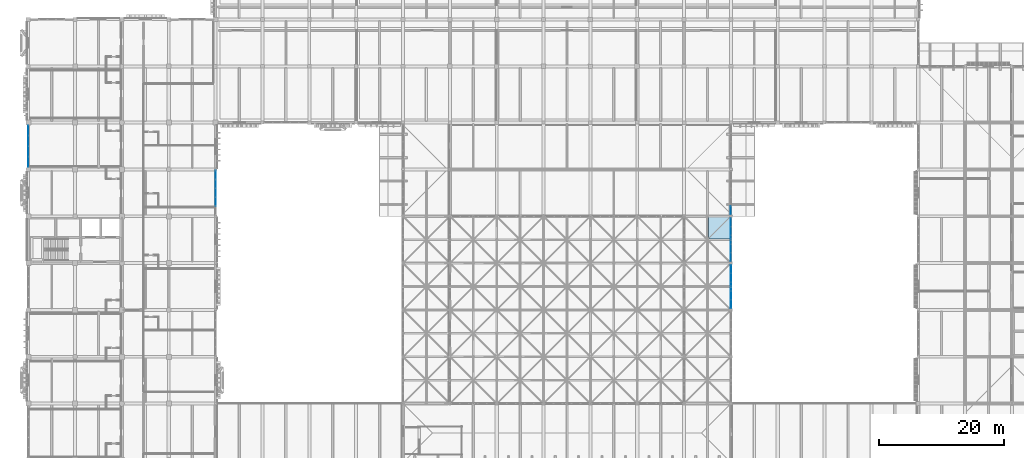
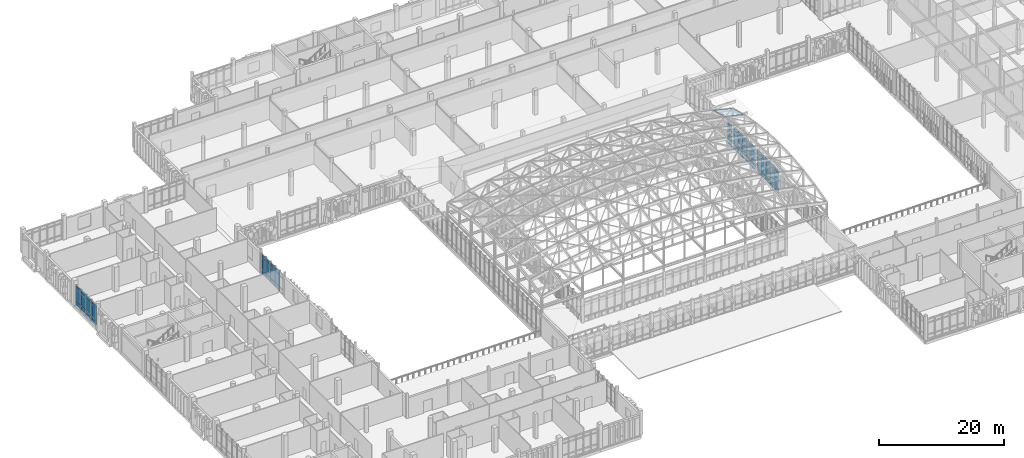
# One storey, part 86 of 131: 58 plates, 6 elements without a shape of their own.
"""IFC4 building model written with IfcOpenShell, lengths in metres."""

from ifc_helpers import new_model, si_unit, direction, frame, origin, origin_2d, place, context, subcontext, project, spatial, polyline, rectangle, outline, extrude, material, layer, layer_set, type_object, element, aggregate, save


model = new_model("IFC4")

# Units and contexts
model_context = context("Model", 3, precision=1e-05, world=origin(), true_north=direction((0.0, 1.0)))
body_context = subcontext(model_context, "Body", "Model", "MODEL_VIEW")
ifc_project = project(units=[si_unit("LENGTHUNIT", "METRE"), si_unit("AREAUNIT", "SQUARE_METRE"), si_unit("VOLUMEUNIT", "CUBIC_METRE"), si_unit("PLANEANGLEUNIT", "RADIAN"), si_unit("MASSUNIT", "GRAM", prefix="KILO")], contexts=[model_context])

# Site, building, storey
site_placement = place(None, origin())
site = spatial("IfcSite", under=ifc_project, at=site_placement, CompositionType="ELEMENT")
building_placement = place(site_placement, origin())
building = spatial("IfcBuilding", under=site, at=building_placement, Name="Dalvernix Boulevard General Hospital", CompositionType="ELEMENT")
storey_placement = place(building_placement, frame((0.0, 0.0, 9.300048828125)))
storey = spatial("IfcBuildingStorey", under=building, at=storey_placement, Name="L02", CompositionType="ELEMENT", Elevation=9.300048828125)

# Curtain wall, plates
ifc_material_1 = material(Name="Thermally broken aluminium and solar-control glass curtain wall", Category="aluminium")
ifc_layer_1 = layer(ifc_material_1, 0.159912109375)
ifc_layer_set_1 = layer_set([ifc_layer_1], Name="Thermally broken aluminium and solar-control glass curtain wall (CW-CW-A-70x46)")
curtain_wall_type_1 = type_object("IfcCurtainWallType", Name="CW-CW-A-70x46", PredefinedType="USERDEFINED", material=ifc_layer_set_1)
curtain_wall_1_placement = place(storey_placement, origin())
curtain_wall_1 = element("IfcCurtainWall", 1, at=curtain_wall_1_placement, inside=storey, type_object=curtain_wall_type_1, Name="L02 curtain wall CW-A-70x46 15-7", ObjectType="GLAZED FACADE", PredefinedType="USERDEFINED")
ifc_material_2 = material(Name="Double-glazed solar-control low-emissivity glass", Category="glass")
ifc_layer_2 = layer(ifc_material_2, 0.02392578125)
ifc_layer_set_2 = layer_set([ifc_layer_2], Name="Double-glazed solar-control low-emissivity glass (PLT-CW-P1)")
plate_type_1 = type_object("IfcPlateType", Name="PLT-CW-P1", PredefinedType="CURTAIN_PANEL", material=ifc_layer_set_2)
plate_1_placement = place(storey_placement, frame((112.5, 60.547119140625, 0.059814453125), z_axis=(0.0, 0.0, 1.0), x_axis=(0.0, -1.0, 0.0)))
plate_1 = element("IfcPlate", 2, at=plate_1_placement, type_object=plate_type_1, Name="CW-A-70x46 panel 1.1", PredefinedType="CURTAIN_PANEL", context=body_context, shape_type="SweptSolid", body=[
    extrude(rectangle(XDim=1.31591796875, YDim=0.02392578125, at=origin_2d()), origin(), (0.0, 0.0, 1.0), 0.81005859375),
])
plate_2_placement = place(storey_placement, frame((112.5, 60.547119140625, 0.9296875), z_axis=(0.0, 0.0, 1.0), x_axis=(0.0, -1.0, 0.0)))
plate_2 = element("IfcPlate", 3, at=plate_2_placement, type_object=plate_type_1, Name="CW-A-70x46 panel 1.2", PredefinedType="CURTAIN_PANEL", context=body_context, shape_type="SweptSolid", body=[
    extrude(rectangle(XDim=1.31591796875, YDim=0.02392578125, at=origin_2d()), origin(), (0.0, 0.0, 1.0), 2.840087890625),
])
plate_3_placement = place(storey_placement, frame((112.5, 60.547119140625, 3.830078125), z_axis=(0.0, 0.0, 1.0), x_axis=(0.0, -1.0, 0.0)))
plate_3 = element("IfcPlate", 4, at=plate_3_placement, type_object=plate_type_1, Name="CW-A-70x46 panel 1.3", PredefinedType="CURTAIN_PANEL", context=body_context, shape_type="SweptSolid", body=[
    extrude(rectangle(XDim=1.31591796875, YDim=0.02392578125, at=origin_2d()), origin(), (0.0, 0.0, 1.0), 0.659912109375),
])
plate_4_placement = place(storey_placement, frame((112.5, 59.156005859375, 0.059814453125), z_axis=(0.0, 0.0, 1.0), x_axis=(0.0, -1.0, 0.0)))
plate_4 = element("IfcPlate", 5, at=plate_4_placement, type_object=plate_type_1, Name="CW-A-70x46 panel 2.1", PredefinedType="CURTAIN_PANEL", context=body_context, shape_type="SweptSolid", body=[
    extrude(rectangle(XDim=1.345947265625, YDim=0.02392578125, at=origin_2d()), origin(), (0.0, 0.0, 1.0), 0.81005859375),
])
plate_5_placement = place(storey_placement, frame((112.5, 59.156005859375, 0.9296875), z_axis=(0.0, 0.0, 1.0), x_axis=(0.0, -1.0, 0.0)))
plate_5 = element("IfcPlate", 6, at=plate_5_placement, type_object=plate_type_1, Name="CW-A-70x46 panel 2.2", PredefinedType="CURTAIN_PANEL", context=body_context, shape_type="SweptSolid", body=[
    extrude(rectangle(XDim=1.345947265625, YDim=0.02392578125, at=origin_2d()), origin(), (0.0, 0.0, 1.0), 2.840087890625),
])
plate_6_placement = place(storey_placement, frame((112.5, 59.156005859375, 3.830078125), z_axis=(0.0, 0.0, 1.0), x_axis=(0.0, -1.0, 0.0)))
plate_6 = element("IfcPlate", 7, at=plate_6_placement, type_object=plate_type_1, Name="CW-A-70x46 panel 2.3", PredefinedType="CURTAIN_PANEL", context=body_context, shape_type="SweptSolid", body=[
    extrude(rectangle(XDim=1.345947265625, YDim=0.02392578125, at=origin_2d()), origin(), (0.0, 0.0, 1.0), 0.659912109375),
])
plate_7_placement = place(storey_placement, frame((112.5, 57.75, 0.059814453125), z_axis=(0.0, 0.0, 1.0), x_axis=(0.0, -1.0, 0.0)))
plate_7 = element("IfcPlate", 8, at=plate_7_placement, type_object=plate_type_1, Name="CW-A-70x46 panel 3.1", PredefinedType="CURTAIN_PANEL", context=body_context, shape_type="SweptSolid", body=[
    extrude(rectangle(XDim=1.345947265625, YDim=0.02392578125, at=origin_2d()), origin(), (0.0, 0.0, 1.0), 0.81005859375),
])
plate_8_placement = place(storey_placement, frame((112.5, 57.75, 0.9296875), z_axis=(0.0, 0.0, 1.0), x_axis=(0.0, -1.0, 0.0)))
plate_8 = element("IfcPlate", 9, at=plate_8_placement, type_object=plate_type_1, Name="CW-A-70x46 panel 3.2", PredefinedType="CURTAIN_PANEL", context=body_context, shape_type="SweptSolid", body=[
    extrude(rectangle(XDim=1.345947265625, YDim=0.02392578125, at=origin_2d()), origin(), (0.0, 0.0, 1.0), 2.840087890625),
])
plate_9_placement = place(storey_placement, frame((112.5, 57.75, 3.830078125), z_axis=(0.0, 0.0, 1.0), x_axis=(0.0, -1.0, 0.0)))
plate_9 = element("IfcPlate", 10, at=plate_9_placement, type_object=plate_type_1, Name="CW-A-70x46 panel 3.3", PredefinedType="CURTAIN_PANEL", context=body_context, shape_type="SweptSolid", body=[
    extrude(rectangle(XDim=1.345947265625, YDim=0.02392578125, at=origin_2d()), origin(), (0.0, 0.0, 1.0), 0.659912109375),
])
plate_10_placement = place(storey_placement, frame((112.5, 56.343994140625, 0.059814453125), z_axis=(0.0, 0.0, 1.0), x_axis=(0.0, -1.0, 0.0)))
plate_10 = element("IfcPlate", 11, at=plate_10_placement, type_object=plate_type_1, Name="CW-A-70x46 panel 4.1", PredefinedType="CURTAIN_PANEL", context=body_context, shape_type="SweptSolid", body=[
    extrude(rectangle(XDim=1.345947265625, YDim=0.02392578125, at=origin_2d()), origin(), (0.0, 0.0, 1.0), 0.81005859375),
])
plate_11_placement = place(storey_placement, frame((112.5, 56.343994140625, 0.9296875), z_axis=(0.0, 0.0, 1.0), x_axis=(0.0, -1.0, 0.0)))
plate_11 = element("IfcPlate", 12, at=plate_11_placement, type_object=plate_type_1, Name="CW-A-70x46 panel 4.2", PredefinedType="CURTAIN_PANEL", context=body_context, shape_type="SweptSolid", body=[
    extrude(rectangle(XDim=1.345947265625, YDim=0.02392578125, at=origin_2d()), origin(), (0.0, 0.0, 1.0), 2.840087890625),
])
plate_12_placement = place(storey_placement, frame((112.5, 56.343994140625, 3.830078125), z_axis=(0.0, 0.0, 1.0), x_axis=(0.0, -1.0, 0.0)))
plate_12 = element("IfcPlate", 13, at=plate_12_placement, type_object=plate_type_1, Name="CW-A-70x46 panel 4.3", PredefinedType="CURTAIN_PANEL", context=body_context, shape_type="SweptSolid", body=[
    extrude(rectangle(XDim=1.345947265625, YDim=0.02392578125, at=origin_2d()), origin(), (0.0, 0.0, 1.0), 0.659912109375),
])
plate_13_placement = place(storey_placement, frame((112.5, 54.952880859375, 0.059814453125), z_axis=(0.0, 0.0, 1.0), x_axis=(0.0, -1.0, 0.0)))
plate_13 = element("IfcPlate", 14, at=plate_13_placement, type_object=plate_type_1, Name="CW-A-70x46 panel 5.1", PredefinedType="CURTAIN_PANEL", context=body_context, shape_type="SweptSolid", body=[
    extrude(rectangle(XDim=1.31591796875, YDim=0.02392578125, at=origin_2d()), origin(), (0.0, 0.0, 1.0), 0.81005859375),
])
plate_14_placement = place(storey_placement, frame((112.5, 54.952880859375, 0.9296875), z_axis=(0.0, 0.0, 1.0), x_axis=(0.0, -1.0, 0.0)))
plate_14 = element("IfcPlate", 15, at=plate_14_placement, type_object=plate_type_1, Name="CW-A-70x46 panel 5.2", PredefinedType="CURTAIN_PANEL", context=body_context, shape_type="SweptSolid", body=[
    extrude(rectangle(XDim=1.31591796875, YDim=0.02392578125, at=origin_2d()), origin(), (0.0, 0.0, 1.0), 2.840087890625),
])
plate_15_placement = place(storey_placement, frame((112.5, 54.952880859375, 3.830078125), z_axis=(0.0, 0.0, 1.0), x_axis=(0.0, -1.0, 0.0)))
plate_15 = element("IfcPlate", 16, at=plate_15_placement, type_object=plate_type_1, Name="CW-A-70x46 panel 5.3", PredefinedType="CURTAIN_PANEL", context=body_context, shape_type="SweptSolid", body=[
    extrude(rectangle(XDim=1.31591796875, YDim=0.02392578125, at=origin_2d()), origin(), (0.0, 0.0, 1.0), 0.659912109375),
])
aggregate(curtain_wall_1, [plate_1, plate_2, plate_3, plate_4, plate_5, plate_6, plate_7, plate_8, plate_9, plate_10, plate_11, plate_12, plate_13, plate_14, plate_15])

ifc_layer_3 = layer(ifc_material_1, 0.179931640625)
ifc_layer_set_3 = layer_set([ifc_layer_3], Name="Thermally broken aluminium and solar-control glass curtain wall (CW-CW-B-70x46)")
curtain_wall_type_2 = type_object("IfcCurtainWallType", Name="CW-CW-B-70x46", PredefinedType="USERDEFINED", material=ifc_layer_set_3)
curtain_wall_2_placement = place(storey_placement, origin())
curtain_wall_2 = element("IfcCurtainWall", 17, at=curtain_wall_2_placement, inside=storey, type_object=curtain_wall_type_2, Name="L02 curtain wall CW-B-70x46 15-8", ObjectType="GLAZED FACADE", PredefinedType="USERDEFINED")
ifc_layer_4 = layer(ifc_material_2, 0.028076171875)
ifc_layer_set_4 = layer_set([ifc_layer_4], Name="Double-glazed solar-control low-emissivity glass (PLT-CW-P2)")
plate_type_2 = type_object("IfcPlateType", Name="PLT-CW-P2", PredefinedType="CURTAIN_PANEL", material=ifc_layer_set_4)
plate_16_placement = place(storey_placement, frame((112.5, 62.454345703125, 0.06494140625), z_axis=(0.0, 0.0, 1.0), x_axis=(0.0, -1.0, 0.0)))
plate_16 = element("IfcPlate", 18, at=plate_16_placement, type_object=plate_type_2, Name="CW-B-70x46 panel 5.1", PredefinedType="CURTAIN_PANEL", context=body_context, shape_type="SweptSolid", body=[
    extrude(rectangle(XDim=1.30859375, YDim=0.028076171875, at=origin_2d()), origin(), (0.0, 0.0, 1.0), 0.802490234375),
])
plate_17_placement = place(storey_placement, frame((112.5, 62.454345703125, 0.932373046875), z_axis=(0.0, 0.0, 1.0), x_axis=(0.0, -1.0, 0.0)))
plate_17 = element("IfcPlate", 19, at=plate_17_placement, type_object=plate_type_2, Name="CW-B-70x46 panel 5.2", PredefinedType="CURTAIN_PANEL", context=body_context, shape_type="SweptSolid", body=[
    extrude(rectangle(XDim=1.30859375, YDim=0.028076171875, at=origin_2d()), origin(), (0.0, 0.0, 1.0), 2.8349609375),
])
plate_18_placement = place(storey_placement, frame((112.5, 62.454345703125, 3.83251953125), z_axis=(0.0, 0.0, 1.0), x_axis=(0.0, -1.0, 0.0)))
plate_18 = element("IfcPlate", 20, at=plate_18_placement, type_object=plate_type_2, Name="CW-B-70x46 panel 5.3", PredefinedType="CURTAIN_PANEL", context=body_context, shape_type="SweptSolid", body=[
    extrude(rectangle(XDim=1.30859375, YDim=0.028076171875, at=origin_2d()), origin(), (0.0, 0.0, 1.0), 0.652587890625),
])
aggregate(curtain_wall_2, [plate_16, plate_17, plate_18])

ifc_layer_5 = layer(ifc_material_1, 0.199951171875)
ifc_layer_set_5 = layer_set([ifc_layer_5], Name="Thermally broken aluminium and solar-control glass curtain wall (CW-CW-C-67x40)")
curtain_wall_type_3 = type_object("IfcCurtainWallType", Name="CW-CW-C-67x40", PredefinedType="USERDEFINED", material=ifc_layer_set_5)
curtain_wall_3_placement = place(storey_placement, origin())
curtain_wall_3 = element("IfcCurtainWall", 21, at=curtain_wall_3_placement, inside=storey, type_object=curtain_wall_type_3, Name="L02 curtain wall CW-C-67x40 0-9", ObjectType="GLAZED FACADE", PredefinedType="USERDEFINED")
ifc_layer_6 = layer(ifc_material_2, 0.035888671875)
ifc_layer_set_6 = layer_set([ifc_layer_6], Name="Double-glazed solar-control low-emissivity glass (PLT-CW-P3)")
plate_type_3 = type_object("IfcPlateType", Name="PLT-CW-P3", PredefinedType="CURTAIN_PANEL", material=ifc_layer_set_6)
plate_19_placement = place(storey_placement, frame((0.0, 70.24072265625, 0.070068359375), z_axis=(0.0, 0.0, 1.0), x_axis=(0.0, 1.0, 0.0)))
plate_19 = element("IfcPlate", 22, at=plate_19_placement, type_object=plate_type_3, Name="CW-C-67x40 panel 1.1", PredefinedType="CURTAIN_PANEL", context=body_context, shape_type="SweptSolid", body=[
    extrude(rectangle(XDim=1.5712890625, YDim=0.035888671875, at=origin_2d()), origin(), (0.0, 0.0, 1.0), 0.794921875),
])
plate_20_placement = place(storey_placement, frame((0.0, 70.24072265625, 0.93505859375), z_axis=(0.0, 0.0, 1.0), x_axis=(0.0, 1.0, 0.0)))
plate_20 = element("IfcPlate", 23, at=plate_20_placement, type_object=plate_type_3, Name="CW-C-67x40 panel 1.2", PredefinedType="CURTAIN_PANEL", context=body_context, shape_type="SweptSolid", body=[
    extrude(rectangle(XDim=1.5712890625, YDim=0.035888671875, at=origin_2d()), origin(), (0.0, 0.0, 1.0), 2.22998046875),
])
plate_21_placement = place(storey_placement, frame((0.0, 70.24072265625, 3.23486328125), z_axis=(0.0, 0.0, 1.0), x_axis=(0.0, 1.0, 0.0)))
plate_21 = element("IfcPlate", 24, at=plate_21_placement, type_object=plate_type_3, Name="CW-C-67x40 panel 1.3", PredefinedType="CURTAIN_PANEL", context=body_context, shape_type="SweptSolid", body=[
    extrude(rectangle(XDim=1.5712890625, YDim=0.035888671875, at=origin_2d()), origin(), (0.0, 0.0, 1.0), 0.64501953125),
])
plate_22_placement = place(storey_placement, frame((0.0, 71.8994140625, 0.070068359375), z_axis=(0.0, 0.0, 1.0), x_axis=(0.0, 1.0, 0.0)))
plate_22 = element("IfcPlate", 25, at=plate_22_placement, type_object=plate_type_3, Name="CW-C-67x40 panel 2.1", PredefinedType="CURTAIN_PANEL", context=body_context, shape_type="SweptSolid", body=[
    extrude(rectangle(XDim=1.606201171875, YDim=0.035888671875, at=origin_2d()), origin(), (0.0, 0.0, 1.0), 0.794921875),
])
plate_23_placement = place(storey_placement, frame((0.0, 71.8994140625, 0.93505859375), z_axis=(0.0, 0.0, 1.0), x_axis=(0.0, 1.0, 0.0)))
plate_23 = element("IfcPlate", 26, at=plate_23_placement, type_object=plate_type_3, Name="CW-C-67x40 panel 2.2", PredefinedType="CURTAIN_PANEL", context=body_context, shape_type="SweptSolid", body=[
    extrude(rectangle(XDim=1.606201171875, YDim=0.035888671875, at=origin_2d()), origin(), (0.0, 0.0, 1.0), 2.22998046875),
])
plate_24_placement = place(storey_placement, frame((0.0, 71.8994140625, 3.23486328125), z_axis=(0.0, 0.0, 1.0), x_axis=(0.0, 1.0, 0.0)))
plate_24 = element("IfcPlate", 27, at=plate_24_placement, type_object=plate_type_3, Name="CW-C-67x40 panel 2.3", PredefinedType="CURTAIN_PANEL", context=body_context, shape_type="SweptSolid", body=[
    extrude(rectangle(XDim=1.606201171875, YDim=0.035888671875, at=origin_2d()), origin(), (0.0, 0.0, 1.0), 0.64501953125),
])
plate_25_placement = place(storey_placement, frame((0.0, 73.57568359375, 0.070068359375), z_axis=(0.0, 0.0, 1.0), x_axis=(0.0, 1.0, 0.0)))
plate_25 = element("IfcPlate", 28, at=plate_25_placement, type_object=plate_type_3, Name="CW-C-67x40 panel 3.1", PredefinedType="CURTAIN_PANEL", context=body_context, shape_type="SweptSolid", body=[
    extrude(rectangle(XDim=1.606201171875, YDim=0.035888671875, at=origin_2d()), origin(), (0.0, 0.0, 1.0), 0.794921875),
])
plate_26_placement = place(storey_placement, frame((0.0, 73.57568359375, 0.93505859375), z_axis=(0.0, 0.0, 1.0), x_axis=(0.0, 1.0, 0.0)))
plate_26 = element("IfcPlate", 29, at=plate_26_placement, type_object=plate_type_3, Name="CW-C-67x40 panel 3.2", PredefinedType="CURTAIN_PANEL", context=body_context, shape_type="SweptSolid", body=[
    extrude(rectangle(XDim=1.606201171875, YDim=0.035888671875, at=origin_2d()), origin(), (0.0, 0.0, 1.0), 2.22998046875),
])
plate_27_placement = place(storey_placement, frame((0.0, 73.57568359375, 3.23486328125), z_axis=(0.0, 0.0, 1.0), x_axis=(0.0, 1.0, 0.0)))
plate_27 = element("IfcPlate", 30, at=plate_27_placement, type_object=plate_type_3, Name="CW-C-67x40 panel 3.3", PredefinedType="CURTAIN_PANEL", context=body_context, shape_type="SweptSolid", body=[
    extrude(rectangle(XDim=1.606201171875, YDim=0.035888671875, at=origin_2d()), origin(), (0.0, 0.0, 1.0), 0.64501953125),
])
plate_28_placement = place(storey_placement, frame((0.0, 75.234375, 0.070068359375), z_axis=(0.0, 0.0, 1.0), x_axis=(0.0, 1.0, 0.0)))
plate_28 = element("IfcPlate", 31, at=plate_28_placement, type_object=plate_type_3, Name="CW-C-67x40 panel 4.1", PredefinedType="CURTAIN_PANEL", context=body_context, shape_type="SweptSolid", body=[
    extrude(rectangle(XDim=1.5712890625, YDim=0.035888671875, at=origin_2d()), origin(), (0.0, 0.0, 1.0), 0.794921875),
])
plate_29_placement = place(storey_placement, frame((0.0, 75.234375, 0.93505859375), z_axis=(0.0, 0.0, 1.0), x_axis=(0.0, 1.0, 0.0)))
plate_29 = element("IfcPlate", 32, at=plate_29_placement, type_object=plate_type_3, Name="CW-C-67x40 panel 4.2", PredefinedType="CURTAIN_PANEL", context=body_context, shape_type="SweptSolid", body=[
    extrude(rectangle(XDim=1.5712890625, YDim=0.035888671875, at=origin_2d()), origin(), (0.0, 0.0, 1.0), 2.22998046875),
])
plate_30_placement = place(storey_placement, frame((0.0, 75.234375, 3.23486328125), z_axis=(0.0, 0.0, 1.0), x_axis=(0.0, 1.0, 0.0)))
plate_30 = element("IfcPlate", 33, at=plate_30_placement, type_object=plate_type_3, Name="CW-C-67x40 panel 4.3", PredefinedType="CURTAIN_PANEL", context=body_context, shape_type="SweptSolid", body=[
    extrude(rectangle(XDim=1.5712890625, YDim=0.035888671875, at=origin_2d()), origin(), (0.0, 0.0, 1.0), 0.64501953125),
])
aggregate(curtain_wall_3, [plate_19, plate_20, plate_21, plate_22, plate_23, plate_24, plate_25, plate_26, plate_27, plate_28, plate_29, plate_30])

ifc_layer_7 = layer(ifc_material_1, 0.199951171875)
ifc_layer_set_7 = layer_set([ifc_layer_7], Name="Thermally broken aluminium and solar-control glass curtain wall (CW-CW-C-72x40)")
curtain_wall_type_4 = type_object("IfcCurtainWallType", Name="CW-CW-C-72x40", PredefinedType="USERDEFINED", material=ifc_layer_set_7)
curtain_wall_4_placement = place(storey_placement, origin())
curtain_wall_4 = element("IfcCurtainWall", 34, at=curtain_wall_4_placement, inside=storey, type_object=curtain_wall_type_4, Name="L02 curtain wall CW-C-72x40 4-8", ObjectType="GLAZED FACADE", PredefinedType="USERDEFINED")
plate_31_placement = place(storey_placement, frame((30.0, 68.096435546875, 0.070068359375), z_axis=(0.0, 0.0, 1.0), x_axis=(0.0, -1.0, 0.0)))
plate_31 = element("IfcPlate", 35, at=plate_31_placement, type_object=plate_type_3, Name="CW-C-72x40 panel 1.1", PredefinedType="CURTAIN_PANEL", context=body_context, shape_type="SweptSolid", body=[
    extrude(rectangle(XDim=1.326904296875, YDim=0.035888671875, at=origin_2d()), origin(), (0.0, 0.0, 1.0), 0.794921875),
])
plate_32_placement = place(storey_placement, frame((30.0, 68.096435546875, 0.93505859375), z_axis=(0.0, 0.0, 1.0), x_axis=(0.0, -1.0, 0.0)))
plate_32 = element("IfcPlate", 36, at=plate_32_placement, type_object=plate_type_3, Name="CW-C-72x40 panel 1.2", PredefinedType="CURTAIN_PANEL", context=body_context, shape_type="SweptSolid", body=[
    extrude(rectangle(XDim=1.326904296875, YDim=0.035888671875, at=origin_2d()), origin(), (0.0, 0.0, 1.0), 2.22998046875),
])
plate_33_placement = place(storey_placement, frame((30.0, 68.096435546875, 3.23486328125), z_axis=(0.0, 0.0, 1.0), x_axis=(0.0, -1.0, 0.0)))
plate_33 = element("IfcPlate", 37, at=plate_33_placement, type_object=plate_type_3, Name="CW-C-72x40 panel 1.3", PredefinedType="CURTAIN_PANEL", context=body_context, shape_type="SweptSolid", body=[
    extrude(rectangle(XDim=1.326904296875, YDim=0.035888671875, at=origin_2d()), origin(), (0.0, 0.0, 1.0), 0.64501953125),
])
plate_34_placement = place(storey_placement, frame((30.0, 66.681884765625, 0.070068359375), z_axis=(0.0, 0.0, 1.0), x_axis=(0.0, -1.0, 0.0)))
plate_34 = element("IfcPlate", 38, at=plate_34_placement, type_object=plate_type_3, Name="CW-C-72x40 panel 2.1", PredefinedType="CURTAIN_PANEL", context=body_context, shape_type="SweptSolid", body=[
    extrude(rectangle(XDim=1.362060546875, YDim=0.035888671875, at=origin_2d()), origin(), (0.0, 0.0, 1.0), 0.794921875),
])
plate_35_placement = place(storey_placement, frame((30.0, 66.681884765625, 0.93505859375), z_axis=(0.0, 0.0, 1.0), x_axis=(0.0, -1.0, 0.0)))
plate_35 = element("IfcPlate", 39, at=plate_35_placement, type_object=plate_type_3, Name="CW-C-72x40 panel 2.2", PredefinedType="CURTAIN_PANEL", context=body_context, shape_type="SweptSolid", body=[
    extrude(rectangle(XDim=1.362060546875, YDim=0.035888671875, at=origin_2d()), origin(), (0.0, 0.0, 1.0), 2.22998046875),
])
plate_36_placement = place(storey_placement, frame((30.0, 66.681884765625, 3.23486328125), z_axis=(0.0, 0.0, 1.0), x_axis=(0.0, -1.0, 0.0)))
plate_36 = element("IfcPlate", 40, at=plate_36_placement, type_object=plate_type_3, Name="CW-C-72x40 panel 2.3", PredefinedType="CURTAIN_PANEL", context=body_context, shape_type="SweptSolid", body=[
    extrude(rectangle(XDim=1.362060546875, YDim=0.035888671875, at=origin_2d()), origin(), (0.0, 0.0, 1.0), 0.64501953125),
])
plate_37_placement = place(storey_placement, frame((30.0, 65.25, 0.070068359375), z_axis=(0.0, 0.0, 1.0), x_axis=(0.0, -1.0, 0.0)))
plate_37 = element("IfcPlate", 41, at=plate_37_placement, type_object=plate_type_3, Name="CW-C-72x40 panel 3.1", PredefinedType="CURTAIN_PANEL", context=body_context, shape_type="SweptSolid", body=[
    extrude(rectangle(XDim=1.362060546875, YDim=0.035888671875, at=origin_2d()), origin(), (0.0, 0.0, 1.0), 0.794921875),
])
plate_38_placement = place(storey_placement, frame((30.0, 65.25, 0.93505859375), z_axis=(0.0, 0.0, 1.0), x_axis=(0.0, -1.0, 0.0)))
plate_38 = element("IfcPlate", 42, at=plate_38_placement, type_object=plate_type_3, Name="CW-C-72x40 panel 3.2", PredefinedType="CURTAIN_PANEL", context=body_context, shape_type="SweptSolid", body=[
    extrude(rectangle(XDim=1.362060546875, YDim=0.035888671875, at=origin_2d()), origin(), (0.0, 0.0, 1.0), 2.22998046875),
])
plate_39_placement = place(storey_placement, frame((30.0, 65.25, 3.23486328125), z_axis=(0.0, 0.0, 1.0), x_axis=(0.0, -1.0, 0.0)))
plate_39 = element("IfcPlate", 43, at=plate_39_placement, type_object=plate_type_3, Name="CW-C-72x40 panel 3.3", PredefinedType="CURTAIN_PANEL", context=body_context, shape_type="SweptSolid", body=[
    extrude(rectangle(XDim=1.362060546875, YDim=0.035888671875, at=origin_2d()), origin(), (0.0, 0.0, 1.0), 0.64501953125),
])
plate_40_placement = place(storey_placement, frame((30.0, 63.818115234375, 0.070068359375), z_axis=(0.0, 0.0, 1.0), x_axis=(0.0, -1.0, 0.0)))
plate_40 = element("IfcPlate", 44, at=plate_40_placement, type_object=plate_type_3, Name="CW-C-72x40 panel 4.1", PredefinedType="CURTAIN_PANEL", context=body_context, shape_type="SweptSolid", body=[
    extrude(rectangle(XDim=1.362060546875, YDim=0.035888671875, at=origin_2d()), origin(), (0.0, 0.0, 1.0), 0.794921875),
])
plate_41_placement = place(storey_placement, frame((30.0, 63.818115234375, 0.93505859375), z_axis=(0.0, 0.0, 1.0), x_axis=(0.0, -1.0, 0.0)))
plate_41 = element("IfcPlate", 45, at=plate_41_placement, type_object=plate_type_3, Name="CW-C-72x40 panel 4.2", PredefinedType="CURTAIN_PANEL", context=body_context, shape_type="SweptSolid", body=[
    extrude(rectangle(XDim=1.362060546875, YDim=0.035888671875, at=origin_2d()), origin(), (0.0, 0.0, 1.0), 2.22998046875),
])
plate_42_placement = place(storey_placement, frame((30.0, 63.818115234375, 3.23486328125), z_axis=(0.0, 0.0, 1.0), x_axis=(0.0, -1.0, 0.0)))
plate_42 = element("IfcPlate", 46, at=plate_42_placement, type_object=plate_type_3, Name="CW-C-72x40 panel 4.3", PredefinedType="CURTAIN_PANEL", context=body_context, shape_type="SweptSolid", body=[
    extrude(rectangle(XDim=1.362060546875, YDim=0.035888671875, at=origin_2d()), origin(), (0.0, 0.0, 1.0), 0.64501953125),
])
aggregate(curtain_wall_4, [plate_31, plate_32, plate_33, plate_34, plate_35, plate_36, plate_37, plate_38, plate_39, plate_40, plate_41, plate_42])

ifc_layer_8 = layer(ifc_material_1, 0.199951171875)
ifc_layer_set_8 = layer_set([ifc_layer_8], Name="Thermally broken aluminium and solar-control glass curtain wall (CW-CW-C-70x46)")
curtain_wall_type_5 = type_object("IfcCurtainWallType", Name="CW-CW-C-70x46", PredefinedType="USERDEFINED", material=ifc_layer_set_8)
curtain_wall_5_placement = place(storey_placement, origin())
curtain_wall_5 = element("IfcCurtainWall", 47, at=curtain_wall_5_placement, inside=storey, type_object=curtain_wall_type_5, Name="L02 curtain wall CW-C-70x46 15-6", ObjectType="GLAZED FACADE", PredefinedType="USERDEFINED")
plate_43_placement = place(storey_placement, frame((112.5, 53.04443359375, 0.070068359375), z_axis=(0.0, 0.0, 1.0), x_axis=(0.0, -1.0, 0.0)))
plate_43 = element("IfcPlate", 48, at=plate_43_placement, type_object=plate_type_3, Name="CW-C-70x46 panel 1.1", PredefinedType="CURTAIN_PANEL", context=body_context, shape_type="SweptSolid", body=[
    extrude(rectangle(XDim=1.301025390625, YDim=0.035888671875, at=origin_2d()), origin(), (0.0, 0.0, 1.0), 0.794921875),
])
plate_44_placement = place(storey_placement, frame((112.5, 53.04443359375, 0.934814453125), z_axis=(0.0, 0.0, 1.0), x_axis=(0.0, -1.0, 0.0)))
plate_44 = element("IfcPlate", 49, at=plate_44_placement, type_object=plate_type_3, Name="CW-C-70x46 panel 1.2", PredefinedType="CURTAIN_PANEL", context=body_context, shape_type="SweptSolid", body=[
    extrude(rectangle(XDim=1.301025390625, YDim=0.035888671875, at=origin_2d()), origin(), (0.0, 0.0, 1.0), 2.830078125),
])
plate_45_placement = place(storey_placement, frame((112.5, 53.04443359375, 3.8349609375), z_axis=(0.0, 0.0, 1.0), x_axis=(0.0, -1.0, 0.0)))
plate_45 = element("IfcPlate", 50, at=plate_45_placement, type_object=plate_type_3, Name="CW-C-70x46 panel 1.3", PredefinedType="CURTAIN_PANEL", context=body_context, shape_type="SweptSolid", body=[
    extrude(rectangle(XDim=1.301025390625, YDim=0.035888671875, at=origin_2d()), origin(), (0.0, 0.0, 1.0), 0.64501953125),
])
plate_46_placement = place(storey_placement, frame((112.5, 51.656005859375, 0.070068359375), z_axis=(0.0, 0.0, 1.0), x_axis=(0.0, -1.0, 0.0)))
plate_46 = element("IfcPlate", 51, at=plate_46_placement, type_object=plate_type_3, Name="CW-C-70x46 panel 2.1", PredefinedType="CURTAIN_PANEL", context=body_context, shape_type="SweptSolid", body=[
    extrude(rectangle(XDim=1.3359375, YDim=0.035888671875, at=origin_2d()), origin(), (0.0, 0.0, 1.0), 0.794921875),
])
plate_47_placement = place(storey_placement, frame((112.5, 51.656005859375, 0.934814453125), z_axis=(0.0, 0.0, 1.0), x_axis=(0.0, -1.0, 0.0)))
plate_47 = element("IfcPlate", 52, at=plate_47_placement, type_object=plate_type_3, Name="CW-C-70x46 panel 2.2", PredefinedType="CURTAIN_PANEL", context=body_context, shape_type="SweptSolid", body=[
    extrude(rectangle(XDim=1.3359375, YDim=0.035888671875, at=origin_2d()), origin(), (0.0, 0.0, 1.0), 2.830078125),
])
plate_48_placement = place(storey_placement, frame((112.5, 51.656005859375, 3.8349609375), z_axis=(0.0, 0.0, 1.0), x_axis=(0.0, -1.0, 0.0)))
plate_48 = element("IfcPlate", 53, at=plate_48_placement, type_object=plate_type_3, Name="CW-C-70x46 panel 2.3", PredefinedType="CURTAIN_PANEL", context=body_context, shape_type="SweptSolid", body=[
    extrude(rectangle(XDim=1.3359375, YDim=0.035888671875, at=origin_2d()), origin(), (0.0, 0.0, 1.0), 0.64501953125),
])
plate_49_placement = place(storey_placement, frame((112.5, 50.25, 0.070068359375), z_axis=(0.0, 0.0, 1.0), x_axis=(0.0, -1.0, 0.0)))
plate_49 = element("IfcPlate", 54, at=plate_49_placement, type_object=plate_type_3, Name="CW-C-70x46 panel 3.1", PredefinedType="CURTAIN_PANEL", context=body_context, shape_type="SweptSolid", body=[
    extrude(rectangle(XDim=1.3359375, YDim=0.035888671875, at=origin_2d()), origin(), (0.0, 0.0, 1.0), 0.794921875),
])
plate_50_placement = place(storey_placement, frame((112.5, 50.25, 0.934814453125), z_axis=(0.0, 0.0, 1.0), x_axis=(0.0, -1.0, 0.0)))
plate_50 = element("IfcPlate", 55, at=plate_50_placement, type_object=plate_type_3, Name="CW-C-70x46 panel 3.2", PredefinedType="CURTAIN_PANEL", context=body_context, shape_type="SweptSolid", body=[
    extrude(rectangle(XDim=1.3359375, YDim=0.035888671875, at=origin_2d()), origin(), (0.0, 0.0, 1.0), 2.830078125),
])
plate_51_placement = place(storey_placement, frame((112.5, 50.25, 3.8349609375), z_axis=(0.0, 0.0, 1.0), x_axis=(0.0, -1.0, 0.0)))
plate_51 = element("IfcPlate", 56, at=plate_51_placement, type_object=plate_type_3, Name="CW-C-70x46 panel 3.3", PredefinedType="CURTAIN_PANEL", context=body_context, shape_type="SweptSolid", body=[
    extrude(rectangle(XDim=1.3359375, YDim=0.035888671875, at=origin_2d()), origin(), (0.0, 0.0, 1.0), 0.64501953125),
])
plate_52_placement = place(storey_placement, frame((112.5, 48.843994140625, 0.070068359375), z_axis=(0.0, 0.0, 1.0), x_axis=(0.0, -1.0, 0.0)))
plate_52 = element("IfcPlate", 57, at=plate_52_placement, type_object=plate_type_3, Name="CW-C-70x46 panel 4.1", PredefinedType="CURTAIN_PANEL", context=body_context, shape_type="SweptSolid", body=[
    extrude(rectangle(XDim=1.3359375, YDim=0.035888671875, at=origin_2d()), origin(), (0.0, 0.0, 1.0), 0.794921875),
])
plate_53_placement = place(storey_placement, frame((112.5, 48.843994140625, 0.934814453125), z_axis=(0.0, 0.0, 1.0), x_axis=(0.0, -1.0, 0.0)))
plate_53 = element("IfcPlate", 58, at=plate_53_placement, type_object=plate_type_3, Name="CW-C-70x46 panel 4.2", PredefinedType="CURTAIN_PANEL", context=body_context, shape_type="SweptSolid", body=[
    extrude(rectangle(XDim=1.3359375, YDim=0.035888671875, at=origin_2d()), origin(), (0.0, 0.0, 1.0), 2.830078125),
])
plate_54_placement = place(storey_placement, frame((112.5, 48.843994140625, 3.8349609375), z_axis=(0.0, 0.0, 1.0), x_axis=(0.0, -1.0, 0.0)))
plate_54 = element("IfcPlate", 59, at=plate_54_placement, type_object=plate_type_3, Name="CW-C-70x46 panel 4.3", PredefinedType="CURTAIN_PANEL", context=body_context, shape_type="SweptSolid", body=[
    extrude(rectangle(XDim=1.3359375, YDim=0.035888671875, at=origin_2d()), origin(), (0.0, 0.0, 1.0), 0.64501953125),
])
plate_55_placement = place(storey_placement, frame((112.5, 47.45556640625, 0.070068359375), z_axis=(0.0, 0.0, 1.0), x_axis=(0.0, -1.0, 0.0)))
plate_55 = element("IfcPlate", 60, at=plate_55_placement, type_object=plate_type_3, Name="CW-C-70x46 panel 5.1", PredefinedType="CURTAIN_PANEL", context=body_context, shape_type="SweptSolid", body=[
    extrude(rectangle(XDim=1.301025390625, YDim=0.035888671875, at=origin_2d()), origin(), (0.0, 0.0, 1.0), 0.794921875),
])
plate_56_placement = place(storey_placement, frame((112.5, 47.45556640625, 0.934814453125), z_axis=(0.0, 0.0, 1.0), x_axis=(0.0, -1.0, 0.0)))
plate_56 = element("IfcPlate", 61, at=plate_56_placement, type_object=plate_type_3, Name="CW-C-70x46 panel 5.2", PredefinedType="CURTAIN_PANEL", context=body_context, shape_type="SweptSolid", body=[
    extrude(rectangle(XDim=1.301025390625, YDim=0.035888671875, at=origin_2d()), origin(), (0.0, 0.0, 1.0), 2.830078125),
])
plate_57_placement = place(storey_placement, frame((112.5, 47.45556640625, 3.8349609375), z_axis=(0.0, 0.0, 1.0), x_axis=(0.0, -1.0, 0.0)))
plate_57 = element("IfcPlate", 62, at=plate_57_placement, type_object=plate_type_3, Name="CW-C-70x46 panel 5.3", PredefinedType="CURTAIN_PANEL", context=body_context, shape_type="SweptSolid", body=[
    extrude(rectangle(XDim=1.301025390625, YDim=0.035888671875, at=origin_2d()), origin(), (0.0, 0.0, 1.0), 0.64501953125),
])
aggregate(curtain_wall_5, [plate_43, plate_44, plate_45, plate_46, plate_47, plate_48, plate_49, plate_50, plate_51, plate_52, plate_53, plate_54, plate_55, plate_56, plate_57])

# Roof, plate
ifc_material_3 = material(Name="Polychrome Catalan glazed terracotta tile roof system", Category="masonry")
roof_type = type_object("IfcRoofType", Name="ROOF-HIP-01", PredefinedType="HIP_ROOF", material=ifc_material_3)
roof_placement = place(storey_placement, origin())
roof = element("IfcRoof", 63, at=roof_placement, inside=storey, type_object=roof_type, Name="V1 Arrival Hall and Botanical Conservatory Dome Vault Gridshell Roof", PredefinedType="HIP_ROOF")
ifc_material_4 = material(Name="Laminated solar-control glass", Category="glass")
ifc_layer_9 = layer(ifc_material_4, 0.031982421875)
ifc_layer_set_9 = layer_set([ifc_layer_9], Name="Laminated solar-control glass (PLT-GP-01)")
plate_type_4 = type_object("IfcPlateType", Name="PLT-GP-01", PredefinedType="SHEET", material=ifc_layer_set_9)
plate_58_placement = place(storey_placement, frame((108.8798828125, 57.8798828125, 9.606689453125), z_axis=(0.226864221304, 0.242107279803, 0.943353958045), x_axis=(0.972279781299, 0.0, -0.233820501406)))
plate_58 = element("IfcPlate", 64, at=plate_58_placement, type_object=plate_type_4, Name="Gridshell solar-control glazing panel 14-8", PredefinedType="SHEET", context=body_context, shape_type="SweptSolid", body=[
    extrude(outline(polyline([(0.0, 0.0), (3.5897428313671966, 0.0), (3.7991880021825692, 3.5972545467871764), (0.2094451708153728, 3.597254546787177), (0.0, 0.0)])), origin(), (0.0, 0.0, -1.0), 0.031982421875),
])
aggregate(roof, [plate_58])

save(model, "model.ifc")
